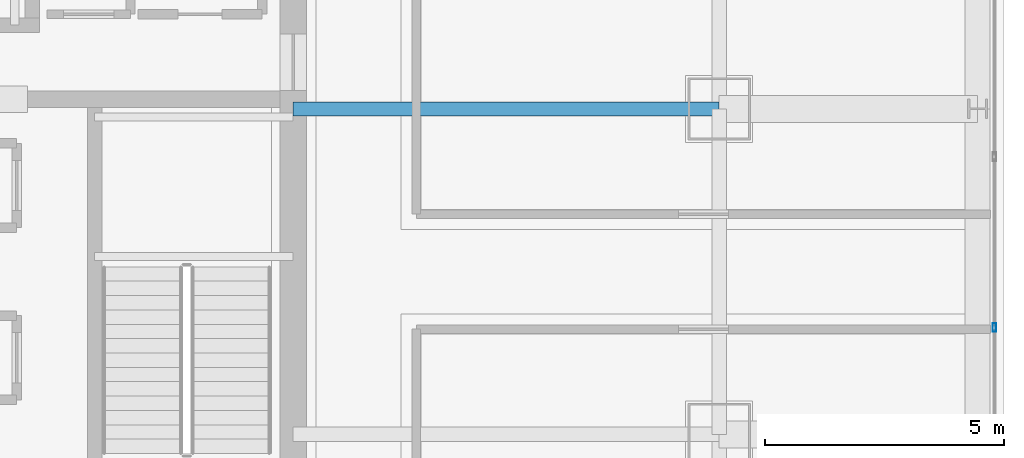
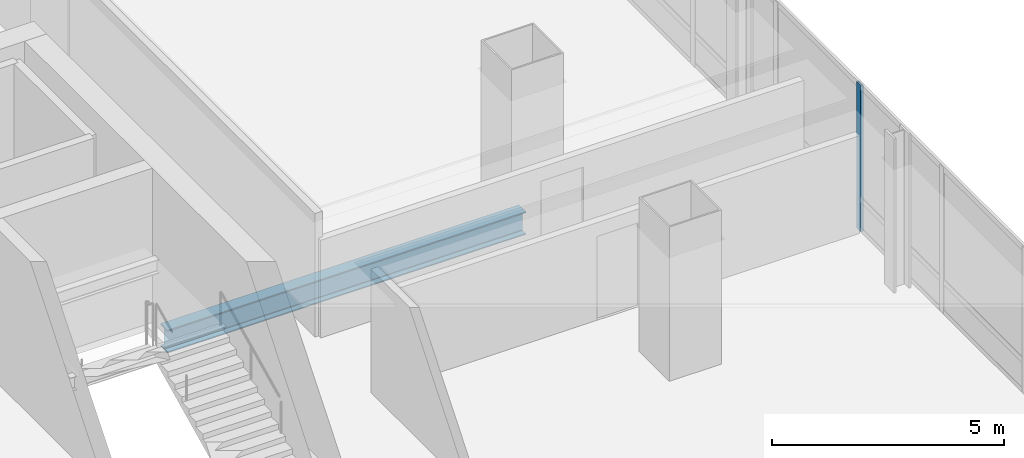
# One storey, part 16 of 44: 1 beam, 1 member, 1 element without a shape of its own.
"""IFC4 building model written with IfcOpenShell, lengths in metres."""

from ifc_helpers import new_model, si_unit, direction, frame, origin, origin_2d, place, context, subcontext, project, spatial, hollow_rectangle, i_section, extrude, material, material_profile, profile_set, type_object, element, aggregate, save


model = new_model("IFC4")

# Units and contexts
model_context = context("Model", 3, precision=1e-05, world=origin(), true_north=direction((0.0, 1.0)))
body_context = subcontext(model_context, "Body", "Model", "MODEL_VIEW")
ifc_project = project(units=[si_unit("LENGTHUNIT", "METRE"), si_unit("AREAUNIT", "SQUARE_METRE"), si_unit("VOLUMEUNIT", "CUBIC_METRE"), si_unit("PLANEANGLEUNIT", "RADIAN"), si_unit("MASSUNIT", "GRAM", prefix="KILO")], contexts=[model_context])

# Site, building, storey
site_placement = place(None, origin())
site = spatial("IfcSite", under=ifc_project, at=site_placement, CompositionType="ELEMENT")
building_placement = place(site_placement, origin())
building = spatial("IfcBuilding", under=site, at=building_placement, Name="Punatoya Terracotta Tower", CompositionType="ELEMENT")
storey_placement = place(building_placement, frame((0.0, 0.0, 267.60009765625)))
storey = spatial("IfcBuildingStorey", under=building, at=storey_placement, Name="L63", CompositionType="ELEMENT", Elevation=267.60009765625)

# Beam
ifc_material_1 = material(Name="Steel S355", Category="steel")
ifc_material_profile_1 = material_profile(ifc_material_1, i_section(OverallWidth=0.300048828125, OverallDepth=0.60009765625, WebThickness=0.015380859375, FlangeThickness=0.030029296875, FilletRadius=0.01806640625, at=origin_2d()))
ifc_profile_set_1 = profile_set([ifc_material_profile_1], Name="Steel S355")
beam_type = type_object("IfcBeamType", Name="BM-PRI-600", PredefinedType="BEAM", material=ifc_profile_set_1)
beam_placement = place(storey_placement, frame((10.199951171875, 3.39990234375, -0.5), z_axis=(1.0, 0.0, 0.0), x_axis=(0.0, 1.0, 0.0)))
element("IfcBeam", 1, at=beam_placement, inside=storey, type_object=beam_type, Name="BM-L63-PR-EE", PredefinedType="BEAM", context=body_context, shape_type="SweptSolid", body=[
    extrude(i_section(OverallWidth=0.300048828125, OverallDepth=0.60009765625, WebThickness=0.015380859375, FlangeThickness=0.030029296875, FilletRadius=0.01806640625, at=origin_2d()), origin(), (0.0, 0.0, 1.0), 8.900146484375),
])

# Curtain wall, member
ifc_material_2 = material(Name="Aluminium 6063-T6 + Double Low-E Glass", Category="aluminium")
curtain_wall_type = type_object("IfcCurtainWallType", Name="CW-M3", PredefinedType="NOTDEFINED", material=ifc_material_2)
curtain_wall_placement = place(storey_placement, origin())
curtain_wall = element("IfcCurtainWall", 2, at=curtain_wall_placement, inside=storey, type_object=curtain_wall_type, Name="L63 Curtain Wall CW-L63-E05-1", PredefinedType="NOTDEFINED")
ifc_material_3 = material(Name="Aluminium 6063-T6", Category="aluminium")
ifc_material_profile_2 = material_profile(ifc_material_3, hollow_rectangle(XDim=0.070068359375, YDim=0.179931640625, WallThickness=0.00390625, at=origin_2d()))
ifc_profile_set_2 = profile_set([ifc_material_profile_2], Name="Aluminium 6063-T6")
member_type = type_object("IfcMemberType", Name="CW-MUL-M3", PredefinedType="MULLION", material=ifc_profile_set_2)
member_placement = place(storey_placement, frame((24.85009765625, -1.16748046875, 0.0), z_axis=(0.0, 0.0, 1.0), x_axis=(1.0, 0.0, 0.0)))
member = element("IfcMember", 3, at=member_placement, type_object=member_type, Name="CW-L63-E05-1 Mullion 04", PredefinedType="MULLION", context=body_context, shape_type="SweptSolid", body=[
    extrude(hollow_rectangle(XDim=0.070068359375, YDim=0.179931640625, WallThickness=0.00390625, at=origin_2d()), origin(), (0.0, 0.0, 1.0), 3.849853515625),
])
aggregate(curtain_wall, [member])

save(model, "model.ifc")
